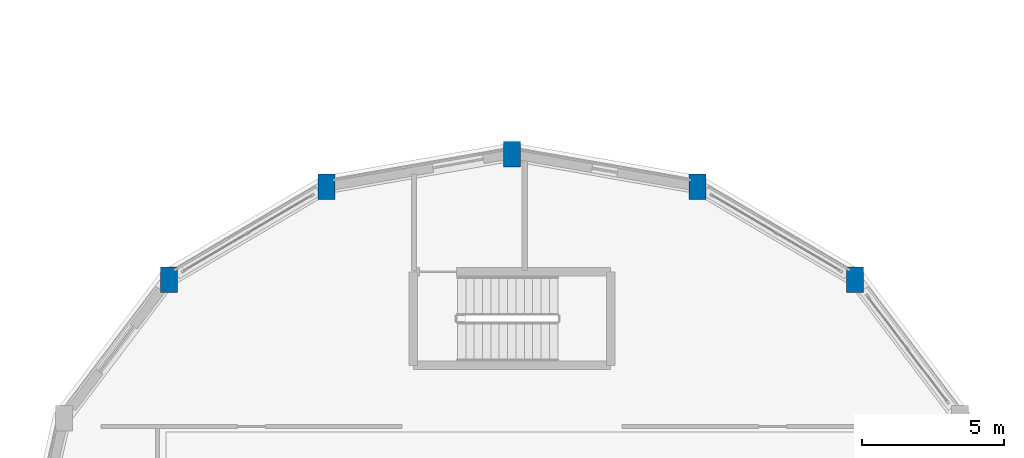
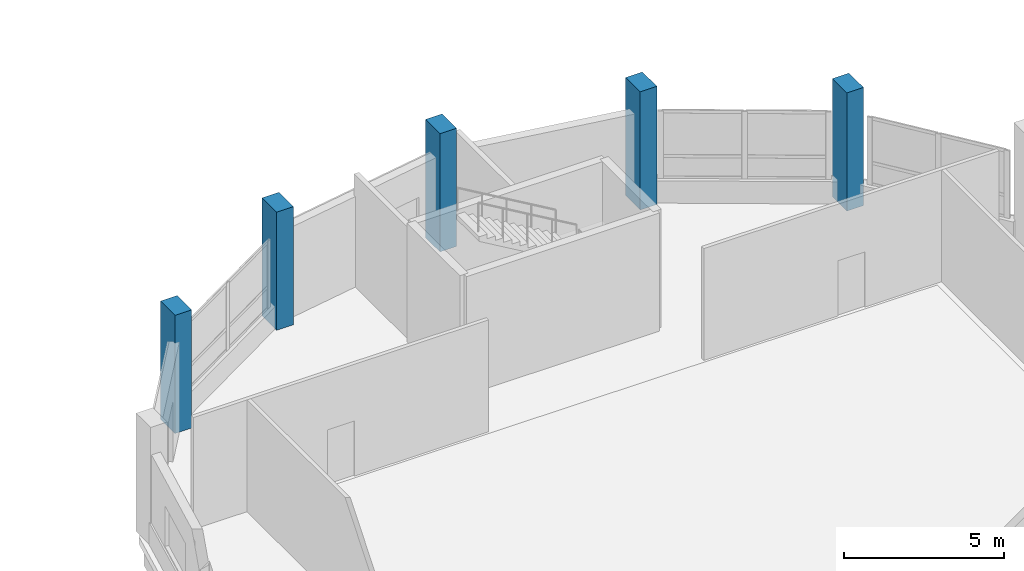
# One storey, part 16 of 129: 5 columns.
"""IFC4 building model written with IfcOpenShell, lengths in metres."""

import ifcopenshell
import ifcopenshell.guid

model = None  # the IFC model being written
_history = None  # IfcOwnerHistory: only IFC2X3 demands one
_inside = {}  # id of a spatial element -> (the spatial element, [elements in it])
_under = {}  # id of a project, library or spatial element -> (it, [spatial elements below it])
_declared = {}  # id of a project -> (the project, [libraries it declares])
_typed = {}  # id of a type object -> (the type object, [elements of that type])
_made_of = {}  # id of a material, layer set ... -> (it, [elements and type objects made of it])


def new_model(schema):
    """Start an empty IFC model of exactly this schema.

    Asked for "IFC4X3", IfcOpenShell would pick the latest addendum, in which some entities
    have other attributes; the version numbers below select the first issue.
    IFC2X3 requires an IfcOwnerHistory on every rooted entity: one is made here for all.
    """
    global model, _history
    if schema == "IFC4X3":
        model = ifcopenshell.file(schema_version=(4, 3, 0, 0))
    else:
        model = ifcopenshell.file(schema=schema)
    _inside.clear()
    _under.clear()
    _declared.clear()
    _typed.clear()
    _made_of.clear()
    _history = None
    if model.schema == "IFC2X3":
        org = make("IfcOrganization", Name="unknown")
        user = make(
            "IfcPersonAndOrganization",
            ThePerson=make("IfcPerson", FamilyName="unknown"),
            TheOrganization=org,
        )
        app = make(
            "IfcApplication",
            ApplicationDeveloper=org,
            Version="unknown",
            ApplicationFullName="unknown",
            ApplicationIdentifier="unknown",
        )
        _history = make(
            "IfcOwnerHistory",
            OwningUser=user,
            OwningApplication=app,
            ChangeAction="ADDED",
            CreationDate=0,
        )
    return model


def make(cls, **values):
    """One entity of the class cls with the attributes given. An attribute that is None is left unset."""
    return model.create_entity(
        cls, **{name: value for name, value in values.items() if value is not None}
    )


def rooted(cls, **values):
    """An entity with a GlobalId (a new one), such as an element, a storey or a relation."""
    return make(cls, GlobalId=ifcopenshell.guid.new(), OwnerHistory=_history, **values)


def si_unit(unit_type, name, prefix=None):
    """IfcSIUnit, for example si_unit("LENGTHUNIT", "METRE", prefix="MILLI")."""
    return make("IfcSIUnit", UnitType=unit_type, Prefix=prefix, Name=name)


def assignment(units):
    """IfcUnitAssignment: the units of a project."""
    return None if units is None else make("IfcUnitAssignment", Units=units)


def point(xyz):
    """IfcCartesianPoint."""
    return None if xyz is None else make("IfcCartesianPoint", Coordinates=xyz)


def direction(xyz):
    """IfcDirection."""
    return None if xyz is None else make("IfcDirection", DirectionRatios=xyz)


def frame(location, z_axis=None, x_axis=None):
    """IfcAxis2Placement3D, a coordinate frame: its origin and axes. An axis left out is left unset."""
    return make(
        "IfcAxis2Placement3D",
        Location=point(location),
        Axis=direction(z_axis),
        RefDirection=direction(x_axis),
    )


def frame_2d(location, x_axis=None):
    """IfcAxis2Placement2D, a coordinate frame in the plane: its origin and x axis."""
    return make(
        "IfcAxis2Placement2D", Location=point(location), RefDirection=direction(x_axis)
    )


def origin():
    """The frame at (0, 0, 0) with its axes left unset."""
    return frame((0.0, 0.0, 0.0))


def origin_2d():
    """The frame at (0, 0) in the plane with its x axis left unset."""
    return frame_2d((0.0, 0.0))


def place(relative_to, where):
    """IfcLocalPlacement: puts the frame where relative to a parent placement (None: the world)."""
    return make(
        "IfcLocalPlacement", PlacementRelTo=relative_to, RelativePlacement=where
    )


def context(
    kind, dimensions, precision=None, world=None, true_north=None, identifier=None
):
    """IfcGeometricRepresentationContext, for example the 3D "Model" context."""
    return make(
        "IfcGeometricRepresentationContext",
        ContextIdentifier=identifier,
        ContextType=kind,
        CoordinateSpaceDimension=dimensions,
        Precision=precision,
        WorldCoordinateSystem=world,
        TrueNorth=true_north,
    )


def subcontext(parent, identifier, kind, view, scale=None):
    """IfcGeometricRepresentationSubContext, for example "Body" below "Model"."""
    return make(
        "IfcGeometricRepresentationSubContext",
        ContextIdentifier=identifier,
        ContextType=kind,
        ParentContext=parent,
        TargetScale=scale,
        TargetView=view,
    )


def project(units=None, contexts=None):
    """IfcProject with its units and contexts."""
    return rooted(
        "IfcProject",
        Name="project",
        RepresentationContexts=contexts,
        UnitsInContext=assignment(units),
    )


def spatial(cls, under=None, at=None, **own):
    """A site, building, storey or space (cls), placed at a placement, below another one or the project."""
    s = rooted(cls, ObjectPlacement=at, **own)
    if under is not None:
        _under.setdefault(under.id(), (under, []))[1].append(s)
    return s


def profile(cls, at=None, kind="AREA", **sizes):
    """A parametric profile (cls). Its sizes go by their IFC names, for example OverallWidth=200.0."""
    return make(cls, ProfileType=kind, Position=at, **sizes)


def rectangle(**sizes):
    """IfcRectangleProfileDef."""
    return profile("IfcRectangleProfileDef", **sizes)


def extrude(swept, where, along, depth):
    """IfcExtrudedAreaSolid: the profile swept, set in the frame where, extruded along a direction by depth."""
    return make(
        "IfcExtrudedAreaSolid",
        SweptArea=swept,
        Position=where,
        ExtrudedDirection=direction(along),
        Depth=depth,
    )


def shape(context_of_items, identifier, shape_type, items):
    """IfcShapeRepresentation: the items that make up one representation, for example the "Body"."""
    return make(
        "IfcShapeRepresentation",
        ContextOfItems=context_of_items,
        RepresentationIdentifier=identifier,
        RepresentationType=shape_type,
        Items=items,
    )


def material(Name=None, Category=None):
    """IfcMaterial."""
    return make("IfcMaterial", Name=Name, Category=Category)


def material_profile(
    of_material, cross_section, Name=None, Category=None, Priority=None
):
    """IfcMaterialProfile: a cross section and its material."""
    return make(
        "IfcMaterialProfile",
        Name=Name,
        Material=of_material,
        Profile=cross_section,
        Priority=Priority,
        Category=Category,
    )


def profile_set(profiles, Name=None, composite=None):
    """IfcMaterialProfileSet."""
    return make(
        "IfcMaterialProfileSet",
        Name=Name,
        MaterialProfiles=profiles,
        CompositeProfile=composite,
    )


def made_of(thing, what):
    """Note that an element or type object is made of a material, layer set ...; save() writes the relation."""
    if what is not None:
        _made_of.setdefault(what.id(), (what, []))[1].append(thing)
    return thing


def type_object(cls, material=None, **own):
    """A type object (cls), such as IfcWallType, which elements share."""
    return made_of(rooted(cls, **own), material)


def element(
    cls,
    number,
    at=None,
    inside=None,
    cuts=None,
    type_object=None,
    material=None,
    context=None,
    identifier="Body",
    shape_type=None,
    held_by="IfcProductDefinitionShape",
    body=None,
    shapes=None,
    **own,
):
    """One element of the class cls, such as IfcWall. Its Tag is "e" and its number.

    at: its placement. inside: the storey or other place that contains it. cuts: it is an
    opening in that element (IfcRelVoidsElement). A single representation is given by context,
    identifier, shape_type and body (its items); several are given by shapes. held_by: the class
    of the entity that holds the representations. save() writes the other relations.
    """
    e = rooted(cls, Tag="e%d" % number, ObjectPlacement=at, **own)
    if body is not None:
        shapes = [shape(context, identifier, shape_type, body)]
    if shapes is not None:
        e.Representation = make(held_by, Representations=shapes)
    if inside is not None:
        _inside.setdefault(inside.id(), (inside, []))[1].append(e)
    if cuts is not None:
        rooted(
            "IfcRelVoidsElement", RelatingBuildingElement=cuts, RelatedOpeningElement=e
        )
    if type_object is not None:
        _typed.setdefault(type_object.id(), (type_object, []))[1].append(e)
    return made_of(e, material)


def aggregate(whole, parts):
    """IfcRelAggregates: a whole, such as a stair, and the parts it consists of."""
    return rooted("IfcRelAggregates", RelatingObject=whole, RelatedObjects=parts)


def save(model, path):
    """Write the relations noted so far, then the file.

    IfcRelAggregates (storeys below a building ...), IfcRelContainedInSpatialStructure (elements
    in a storey), IfcRelDefinesByType, IfcRelAssociatesMaterial and IfcRelDeclares: one each for
    every whole, place, type object, material and project.
    """
    for whole, parts in _under.values():
        aggregate(whole, parts)
    for where, things in _inside.values():
        rooted(
            "IfcRelContainedInSpatialStructure",
            RelatedElements=things,
            RelatingStructure=where,
        )
    for kind, things in _typed.values():
        rooted("IfcRelDefinesByType", RelatedObjects=things, RelatingType=kind)
    for what, things in _made_of.values():
        rooted("IfcRelAssociatesMaterial", RelatedObjects=things, RelatingMaterial=what)
    for by, libraries in _declared.values():
        rooted("IfcRelDeclares", RelatingContext=by, RelatedDefinitions=libraries)
    model.write(path)


model = new_model("IFC4")

# Units and contexts
model_context = context("Model", 3, precision=1e-05, world=origin(), true_north=direction((0.0, 1.0)))
body_context = subcontext(model_context, "Body", "Model", "MODEL_VIEW")
ifc_project = project(units=[si_unit("LENGTHUNIT", "METRE"), si_unit("AREAUNIT", "SQUARE_METRE"), si_unit("VOLUMEUNIT", "CUBIC_METRE"), si_unit("PLANEANGLEUNIT", "RADIAN"), si_unit("MASSUNIT", "GRAM", prefix="KILO")], contexts=[model_context])

# Site, building, storey
site_placement = place(None, origin())
site = spatial("IfcSite", under=ifc_project, at=site_placement, CompositionType="ELEMENT")
building_placement = place(site_placement, origin())
building = spatial("IfcBuilding", under=site, at=building_placement, Name="Vespera Passage Community Centre", CompositionType="ELEMENT")
storey_placement = place(building_placement, origin())
storey = spatial("IfcBuildingStorey", under=building, at=storey_placement, Name="L00", CompositionType="ELEMENT", Elevation=0.0)

# Columns
ifc_material = material(Name="Concrete f'c 45 MPa", Category="concrete")
ifc_material_profile = material_profile(ifc_material, rectangle(XDim=0.60009765625, YDim=0.89990234375, at=origin_2d()), Name="RC900X600")
ifc_profile_set = profile_set([ifc_material_profile], Name="Concrete f'c 45 MPa")
column_type = type_object("IfcColumnType", Name="COL-RC900X600E", PredefinedType="COLUMN", material=ifc_profile_set)
for number, where, z_axis, x_axis, name in (
    (1, (155.091552734375, 100.17724609375, 0.0), (0.0, 0.0, 1.0), (1.0, 0.0, 0.0), "L00 Column V2-P03"),
    (2, (149.5439453125, 103.45068359375, 0.0), (0.0, 0.0, 1.0), (1.0, 0.0, 0.0), "L00 Column V2-P04"),
    (3, (143.0, 104.60009765625, 0.0), (0.0, 0.0, 1.0), (1.0, 0.0, 0.0), "L00 Column V2-P05"),
    (4, (136.4560546875, 103.45068359375, 0.0), (0.0, 0.0, 1.0), (1.0, 0.0, 0.0), "L00 Column V2-P06"),
    (5, (130.908447265625, 100.17724609375, 0.0), (0.0, 0.0, 1.0), (1.0, 0.0, 0.0), "L00 Column V2-P07"),
):
    element("IfcColumn", number, at=place(storey_placement, frame(where, z_axis=z_axis, x_axis=x_axis)), inside=storey, type_object=column_type, Name=name, PredefinedType="COLUMN", context=body_context, shape_type="SweptSolid", body=[
        extrude(rectangle(XDim=0.60009765625, YDim=0.89990234375, at=origin_2d()), origin(), (0.0, 0.0, 1.0), 4.5),
    ])

save(model, "model.ifc")
